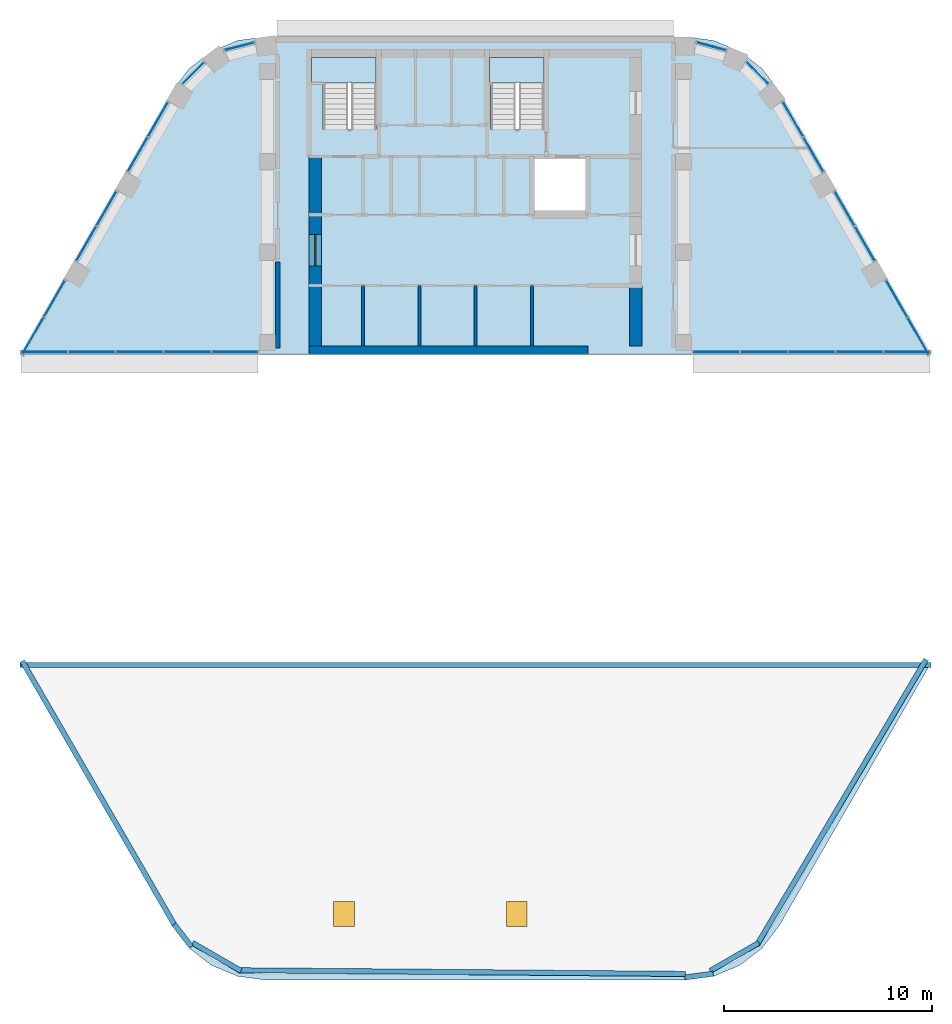
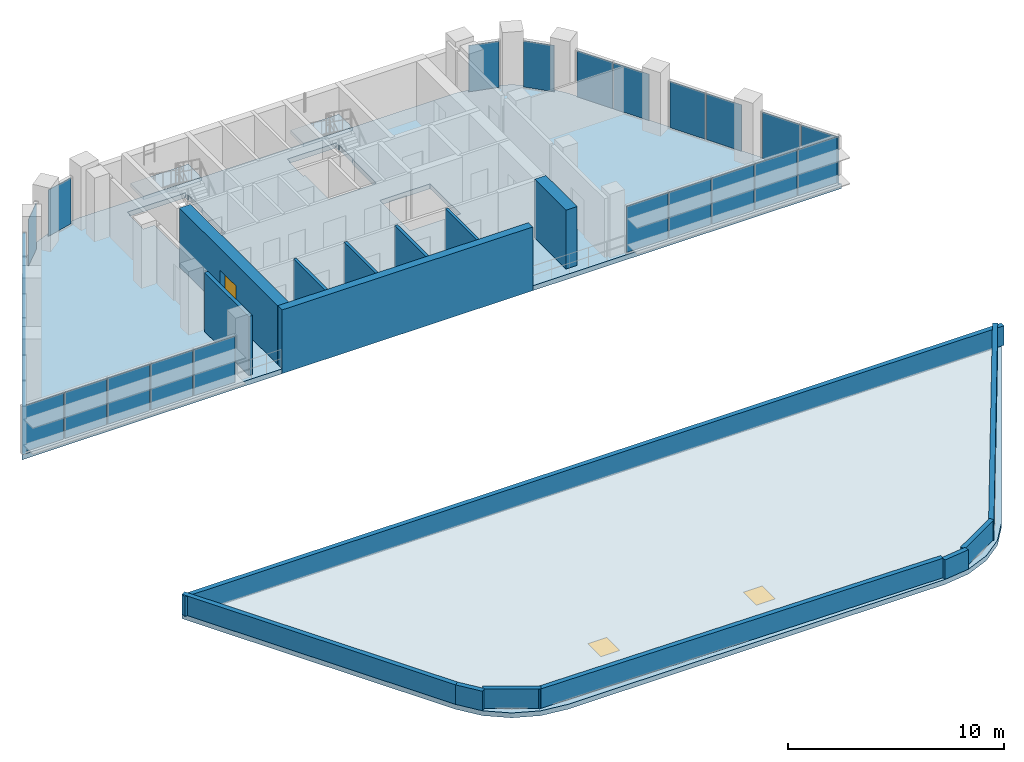
"""IFC4 building model written with IfcOpenShell, lengths in metres."""

from ifc_helpers import new_model, si_unit, direction, frame, frame_2d, origin, origin_2d, place, context, subcontext, project, spatial, polyline, rectangle, outline, extrude, material, layer, layer_set, type_object, element, fill, aggregate, save


model = new_model("IFC4")

# Units and contexts
model_context = context("Model", 3, precision=1e-05, world=origin(), true_north=direction((0.0, 1.0)))
body_context = subcontext(model_context, "Body", "Model", "MODEL_VIEW")
ifc_project = project(units=[si_unit("LENGTHUNIT", "METRE"), si_unit("AREAUNIT", "SQUARE_METRE"), si_unit("VOLUMEUNIT", "CUBIC_METRE"), si_unit("PLANEANGLEUNIT", "RADIAN"), si_unit("MASSUNIT", "GRAM", prefix="KILO")], contexts=[model_context])

# Site, building, storey
site_placement = place(None, origin())
site = spatial("IfcSite", under=ifc_project, at=site_placement, CompositionType="ELEMENT")
building_placement = place(site_placement, origin())
building = spatial("IfcBuilding", under=site, at=building_placement, Name="Nakaniwa Court", CompositionType="ELEMENT")
storey_1_placement = place(building_placement, frame((0.0, 0.0, 290.39990234375)))
storey_1 = spatial("IfcBuildingStorey", under=building, at=storey_1_placement, Name="C06", CompositionType="ELEMENT", Elevation=290.39990234375)

# Slab
ifc_material_1 = material(Name="Concrete C80/100", Category="concrete")
ifc_layer_1 = layer(ifc_material_1, 0.27490234375)
ifc_layer_set_1 = layer_set([ifc_layer_1], Name="Concrete C80/100")
slab_type_1 = type_object("IfcSlabType", Name="Concrete C80/100 post tensioned floor slab 275", PredefinedType="FLOOR", material=ifc_layer_set_1)
slab_1_placement = place(storey_1_placement, frame((0.0, 0.0, -0.27490234375)))
element("IfcSlab", 1, at=slab_1_placement, inside=storey_1, type_object=slab_type_1, Name="FLOOR SLAB", PredefinedType="FLOOR", context=body_context, shape_type="SweptSolid", body=[
    extrude(outline(polyline([(65.421875, 100.050048828125), (58.118408203125, 87.39990234375), (101.881591796875, 87.39990234375), (94.578125, 100.050048828125), (93.751708984375, 101.126953125), (92.6748046875, 101.953369140625), (91.420654296875, 102.472900390625), (90.07470703125, 102.64990234375), (69.92529296875, 102.64990234375), (68.579345703125, 102.472900390625), (67.3251953125, 101.953369140625), (66.248291015625, 101.126953125), (65.421875, 100.050048828125)]), holes=[polyline([(85.39990234375, 96.89990234375), (82.699951171875, 96.89990234375), (82.699951171875, 94.10009765625), (85.39990234375, 94.10009765625), (85.39990234375, 96.89990234375)]), polyline([(75.22509765625, 100.385009765625), (75.264892578125, 100.385009765625), (75.264892578125, 101.68994140625), (75.22509765625, 101.68994140625), (75.22509765625, 101.925048828125), (72.125, 101.925048828125), (72.125, 101.68994140625), (72.0849609375, 101.68994140625), (72.0849609375, 100.385009765625), (72.675048828125, 100.385009765625), (72.675048828125, 98.18994140625), (75.22509765625, 98.18994140625), (75.22509765625, 100.385009765625)]), polyline([(83.27490234375, 101.925048828125), (80.675048828125, 101.925048828125), (80.675048828125, 101.68994140625), (80.635009765625, 101.68994140625), (80.635009765625, 100.385009765625), (80.72509765625, 100.385009765625), (80.72509765625, 98.18994140625), (83.27490234375, 98.18994140625), (83.27490234375, 100.385009765625), (83.31494140625, 100.385009765625), (83.31494140625, 101.68994140625), (83.27490234375, 101.68994140625), (83.27490234375, 101.925048828125)])]), origin(), (0.0, 0.0, 1.0), 0.27490234375),
])

# Slab, openings
ifc_layer_2 = layer(ifc_material_1, 0.27490234375)
ifc_layer_set_2 = layer_set([ifc_layer_2], Name="Concrete C80/100")
slab_type_2 = type_object("IfcSlabType", Name="Concrete C80/100 roof slab 275", PredefinedType="ROOF", material=ifc_layer_set_2)
slab_2_placement = place(storey_1_placement, frame((0.0, 0.0, -0.27490234375)))
slab_2 = element("IfcSlab", 2, at=slab_2_placement, inside=storey_1, type_object=slab_type_2, Name="ROOF SLAB SOUTH BAR", PredefinedType="ROOF", context=body_context, shape_type="SweptSolid", body=[
    extrude(outline(polyline([(94.578125, 59.949951171875), (101.881591796875, 72.60009765625), (58.118408203125, 72.60009765625), (65.421875, 59.949951171875), (66.248291015625, 58.873046875), (67.3251953125, 58.046630859375), (68.579345703125, 57.527099609375), (69.92529296875, 57.35009765625), (90.07470703125, 57.35009765625), (91.420654296875, 57.527099609375), (92.6748046875, 58.046630859375), (93.751708984375, 58.873046875), (94.578125, 59.949951171875)])), origin(), (0.0, 0.0, 1.0), 0.27490234375),
])
opening_1_placement = place(slab_2_placement, frame((73.675048828125, 60.52490234375, 0.0)))
opening_1 = element("IfcOpeningElement", 3, at=opening_1_placement, cuts=slab_2, Name="Opening XD14.01", PredefinedType="OPENING", context=body_context, shape_type="SweptSolid", body=[
    extrude(rectangle(XDim=1.0, YDim=1.199951171875, at=origin_2d()), frame((0.0, 0.0, -0.010009765625)), (0.0, 0.0, 1.0), 0.294921875),
])
opening_2_placement = place(slab_2_placement, frame((81.97509765625, 60.52490234375, 0.0)))
opening_2 = element("IfcOpeningElement", 4, at=opening_2_placement, cuts=slab_2, Name="Opening XD14.02", PredefinedType="OPENING", context=body_context, shape_type="SweptSolid", body=[
    extrude(rectangle(XDim=1.0, YDim=1.199951171875, at=origin_2d()), frame((0.0, 0.0, -0.010009765625)), (0.0, 0.0, 1.0), 0.294921875),
])

# Storey
storey_2_placement = place(building_placement, frame((0.0, 0.0, 286.800048828125)))
storey_2 = spatial("IfcBuildingStorey", under=building, at=storey_2_placement, Name="C05", CompositionType="ELEMENT", Elevation=286.800048828125)

# Door
ifc_material_2 = material(Name="Black powder-coated aluminium frame with dark laminated glass", Category="aluminium")
door_type_1 = type_object("IfcDoorType", Name="Roof access hatch 1000x1200", OperationType="SINGLE_SWING_LEFT", PredefinedType="TRAPDOOR", material=ifc_material_2)
door_1_placement = place(opening_1_placement, frame((0.0, 0.0, 0.224853515625)))
door_1 = element("IfcDoor", 5, at=door_1_placement, inside=storey_2, type_object=door_type_1, Name="C05 roof access hatch W", OperationType="SINGLE_SWING_LEFT", OverallHeight=1.199951171875, OverallWidth=1.0, PredefinedType="TRAPDOOR", context=body_context, shape_type="SweptSolid", body=[
    extrude(rectangle(XDim=1.0, YDim=1.199951171875, at=origin_2d()), origin(), (0.0, 0.0, 1.0), 0.050048828125),
])

fill(opening_1, door_1)

door_2_placement = place(opening_2_placement, frame((0.0, 0.0, 0.224853515625)))
door_2 = element("IfcDoor", 6, at=door_2_placement, inside=storey_2, type_object=door_type_1, Name="C05 roof access hatch E", OperationType="SINGLE_SWING_LEFT", OverallHeight=1.199951171875, OverallWidth=1.0, PredefinedType="TRAPDOOR", context=body_context, shape_type="SweptSolid", body=[
    extrude(rectangle(XDim=1.0, YDim=1.199951171875, at=origin_2d()), origin(), (0.0, 0.0, 1.0), 0.050048828125),
])

fill(opening_2, door_2)

# Curtain wall, plates
ifc_material_3 = material(Name="Black anodised aluminium frame with dark low-E laminated double glazing", Category="aluminium")
ifc_layer_3 = layer(ifc_material_3, 0.199951171875)
ifc_layer_set_3 = layer_set([ifc_layer_3], Name="Black anodised aluminium frame with dark low-E laminated double glazing")
curtain_wall_type = type_object("IfcCurtainWallType", Name="Crown curtain wall", PredefinedType="NOTDEFINED", material=ifc_layer_set_3)
curtain_wall_1_placement = place(storey_1_placement, origin())
curtain_wall_1 = element("IfcCurtainWall", 7, at=curtain_wall_1_placement, inside=storey_1, type_object=curtain_wall_type, Name="C06 curtain wall CW4 00", PredefinedType="NOTDEFINED")
ifc_material_4 = material(Name="Dark toughened glass", Category="glass")
ifc_layer_4 = layer(ifc_material_4, 0.007, Name="Outer pane")
ifc_material_5 = material(Name="Argon filled cavity")
ifc_layer_5 = layer(ifc_material_5, 0.016, Name="Cavity")
ifc_material_6 = material(Name="Dark laminated safety glass", Category="glass")
ifc_layer_6 = layer(ifc_material_6, 0.007, Name="Inner pane")
ifc_layer_set_4 = layer_set([ifc_layer_4, ifc_layer_5, ifc_layer_6], Name="Dark low-E laminated double glazing")
plate_type = type_object("IfcPlateType", Name="Crown curtain wall glass panel", PredefinedType="CURTAIN_PANEL", material=ifc_layer_set_4)
plate_1_placement = place(storey_1_placement, frame((62.276611328125, 94.402099609375, 0.05517578125), z_axis=(0.0, 0.0, 1.0), x_axis=(-0.499986540445, -0.866033174523, 0.0)))
plate_1 = element("IfcPlate", 8, at=plate_1_placement, type_object=plate_type, Name="CW4 panel 1.1", PredefinedType="CURTAIN_PANEL", context=body_context, shape_type="SweptSolid", body=[
    extrude(rectangle(XDim=1.874755859375, YDim=0.030029296875, at=origin_2d()), origin(), (0.0, 0.0, 1.0), 2.614990234375),
])
plate_2_placement = place(storey_1_placement, frame((61.306640625, 92.72216796875, 0.05517578125), z_axis=(0.0, 0.0, 1.0), x_axis=(-0.499986540445, -0.866033174523, 0.0)))
plate_2 = element("IfcPlate", 9, at=plate_2_placement, type_object=plate_type, Name="CW4 panel 2.1", PredefinedType="CURTAIN_PANEL", context=body_context, shape_type="SweptSolid", body=[
    extrude(rectangle(XDim=1.874755859375, YDim=0.030029296875, at=origin_2d()), origin(), (0.0, 0.0, 1.0), 2.614990234375),
])
aggregate(curtain_wall_1, [plate_1, plate_2])

curtain_wall_2_placement = place(storey_1_placement, origin())
curtain_wall_2 = element("IfcCurtainWall", 10, at=curtain_wall_2_placement, inside=storey_1, type_object=curtain_wall_type, Name="C06 curtain wall CW4 01", PredefinedType="NOTDEFINED")
plate_3_placement = place(storey_1_placement, frame((59.775390625, 90.06982421875, 0.05517578125), z_axis=(0.0, 0.0, 1.0), x_axis=(-0.500007626024, -0.866021000852, 0.0)))
plate_3 = element("IfcPlate", 11, at=plate_3_placement, type_object=plate_type, Name="CW4 panel 1.1", PredefinedType="CURTAIN_PANEL", context=body_context, shape_type="SweptSolid", body=[
    extrude(rectangle(XDim=2.007080078125, YDim=0.030029296875, at=origin_2d()), origin(), (0.0, 0.0, 1.0), 2.614990234375),
])
plate_4_placement = place(storey_1_placement, frame((58.7392578125, 88.275390625, 0.05517578125), z_axis=(0.0, 0.0, 1.0), x_axis=(-0.500007626024, -0.866021000852, 0.0)))
plate_4 = element("IfcPlate", 12, at=plate_4_placement, type_object=plate_type, Name="CW4 panel 2.1", PredefinedType="CURTAIN_PANEL", context=body_context, shape_type="SweptSolid", body=[
    extrude(rectangle(XDim=2.007080078125, YDim=0.030029296875, at=origin_2d()), origin(), (0.0, 0.0, 1.0), 2.614990234375),
])
aggregate(curtain_wall_2, [plate_3, plate_4])

curtain_wall_3_placement = place(storey_1_placement, origin())
curtain_wall_3 = element("IfcCurtainWall", 13, at=curtain_wall_3_placement, inside=storey_1, type_object=curtain_wall_type, Name="C06 curtain wall CW4 02", PredefinedType="NOTDEFINED")
plate_5_placement = place(storey_1_placement, frame((59.283203125, 87.5, 0.05517578125), z_axis=(0.0, 0.0, 1.0), x_axis=(1.0, 0.0, 0.0)))
plate_5 = element("IfcPlate", 14, at=plate_5_placement, type_object=plate_type, Name="CW4 panel 1.1", PredefinedType="CURTAIN_PANEL", context=body_context, shape_type="SweptSolid", body=[
    extrude(rectangle(XDim=2.19970703125, YDim=0.030029296875, at=origin_2d()), origin(), (0.0, 0.0, 1.0), 2.614990234375),
])
plate_6_placement = place(storey_1_placement, frame((61.56396484375, 87.5, 0.05517578125), z_axis=(0.0, 0.0, 1.0), x_axis=(1.0, 0.0, 0.0)))
plate_6 = element("IfcPlate", 15, at=plate_6_placement, type_object=plate_type, Name="CW4 panel 2.1", PredefinedType="CURTAIN_PANEL", context=body_context, shape_type="SweptSolid", body=[
    extrude(rectangle(XDim=2.232177734375, YDim=0.030029296875, at=origin_2d()), origin(), (0.0, 0.0, 1.0), 2.614990234375),
])
plate_7_placement = place(storey_1_placement, frame((63.861083984375, 87.5, 0.05517578125), z_axis=(0.0, 0.0, 1.0), x_axis=(1.0, 0.0, 0.0)))
plate_7 = element("IfcPlate", 16, at=plate_7_placement, type_object=plate_type, Name="CW4 panel 3.1", PredefinedType="CURTAIN_PANEL", context=body_context, shape_type="SweptSolid", body=[
    extrude(rectangle(XDim=2.232177734375, YDim=0.030029296875, at=origin_2d()), origin(), (0.0, 0.0, 1.0), 2.614990234375),
])
plate_8_placement = place(storey_1_placement, frame((66.158203125, 87.5, 0.05517578125), z_axis=(0.0, 0.0, 1.0), x_axis=(1.0, 0.0, 0.0)))
plate_8 = element("IfcPlate", 17, at=plate_8_placement, type_object=plate_type, Name="CW4 panel 4.1", PredefinedType="CURTAIN_PANEL", context=body_context, shape_type="SweptSolid", body=[
    extrude(rectangle(XDim=2.232177734375, YDim=0.030029296875, at=origin_2d()), origin(), (0.0, 0.0, 1.0), 2.614990234375),
])
plate_9_placement = place(storey_1_placement, frame((68.439208984375, 87.5, 0.05517578125), z_axis=(0.0, 0.0, 1.0), x_axis=(1.0, 0.0, 0.0)))
plate_9 = element("IfcPlate", 18, at=plate_9_placement, type_object=plate_type, Name="CW4 panel 5.1", PredefinedType="CURTAIN_PANEL", context=body_context, shape_type="SweptSolid", body=[
    extrude(rectangle(XDim=2.19970703125, YDim=0.030029296875, at=origin_2d()), origin(), (0.0, 0.0, 1.0), 2.614990234375),
])
aggregate(curtain_wall_3, [plate_5, plate_6, plate_7, plate_8, plate_9])

curtain_wall_4_placement = place(storey_1_placement, origin())
curtain_wall_4 = element("IfcCurtainWall", 19, at=curtain_wall_4_placement, inside=storey_1, type_object=curtain_wall_type, Name="C06 curtain wall CW4 03", PredefinedType="NOTDEFINED")
plate_10_placement = place(storey_1_placement, frame((91.560791015625, 87.5, 0.05517578125), z_axis=(0.0, 0.0, 1.0), x_axis=(1.0, 0.0, 0.0)))
plate_10 = element("IfcPlate", 20, at=plate_10_placement, type_object=plate_type, Name="CW4 panel 1.1", PredefinedType="CURTAIN_PANEL", context=body_context, shape_type="SweptSolid", body=[
    extrude(rectangle(XDim=2.19970703125, YDim=0.030029296875, at=origin_2d()), origin(), (0.0, 0.0, 1.0), 2.614990234375),
])
plate_11_placement = place(storey_1_placement, frame((93.841796875, 87.5, 0.05517578125), z_axis=(0.0, 0.0, 1.0), x_axis=(1.0, 0.0, 0.0)))
plate_11 = element("IfcPlate", 21, at=plate_11_placement, type_object=plate_type, Name="CW4 panel 2.1", PredefinedType="CURTAIN_PANEL", context=body_context, shape_type="SweptSolid", body=[
    extrude(rectangle(XDim=2.232177734375, YDim=0.030029296875, at=origin_2d()), origin(), (0.0, 0.0, 1.0), 2.614990234375),
])
plate_12_placement = place(storey_1_placement, frame((96.138916015625, 87.5, 0.05517578125), z_axis=(0.0, 0.0, 1.0), x_axis=(1.0, 0.0, 0.0)))
plate_12 = element("IfcPlate", 22, at=plate_12_placement, type_object=plate_type, Name="CW4 panel 3.1", PredefinedType="CURTAIN_PANEL", context=body_context, shape_type="SweptSolid", body=[
    extrude(rectangle(XDim=2.232177734375, YDim=0.030029296875, at=origin_2d()), origin(), (0.0, 0.0, 1.0), 2.614990234375),
])
plate_13_placement = place(storey_1_placement, frame((98.43603515625, 87.5, 0.05517578125), z_axis=(0.0, 0.0, 1.0), x_axis=(1.0, 0.0, 0.0)))
plate_13 = element("IfcPlate", 23, at=plate_13_placement, type_object=plate_type, Name="CW4 panel 4.1", PredefinedType="CURTAIN_PANEL", context=body_context, shape_type="SweptSolid", body=[
    extrude(rectangle(XDim=2.232177734375, YDim=0.030029296875, at=origin_2d()), origin(), (0.0, 0.0, 1.0), 2.614990234375),
])
plate_14_placement = place(storey_1_placement, frame((100.716796875, 87.5, 0.05517578125), z_axis=(0.0, 0.0, 1.0), x_axis=(1.0, 0.0, 0.0)))
plate_14 = element("IfcPlate", 24, at=plate_14_placement, type_object=plate_type, Name="CW4 panel 5.1", PredefinedType="CURTAIN_PANEL", context=body_context, shape_type="SweptSolid", body=[
    extrude(rectangle(XDim=2.19970703125, YDim=0.030029296875, at=origin_2d()), origin(), (0.0, 0.0, 1.0), 2.614990234375),
])
aggregate(curtain_wall_4, [plate_10, plate_11, plate_12, plate_13, plate_14])

curtain_wall_5_placement = place(storey_1_placement, origin())
curtain_wall_5 = element("IfcCurtainWall", 25, at=curtain_wall_5_placement, inside=storey_1, type_object=curtain_wall_type, Name="C06 curtain wall CW4 04", PredefinedType="NOTDEFINED")
plate_15_placement = place(storey_1_placement, frame((101.2607421875, 88.275390625, 0.05517578125), z_axis=(0.0, 0.0, 1.0), x_axis=(-0.500007626024, 0.866021000852, 0.0)))
plate_15 = element("IfcPlate", 26, at=plate_15_placement, type_object=plate_type, Name="CW4 panel 1.1", PredefinedType="CURTAIN_PANEL", context=body_context, shape_type="SweptSolid", body=[
    extrude(rectangle(XDim=2.007080078125, YDim=0.030029296875, at=origin_2d()), origin(), (0.0, 0.0, 1.0), 2.614990234375),
])
plate_16_placement = place(storey_1_placement, frame((100.224609375, 90.06982421875, 0.05517578125), z_axis=(0.0, 0.0, 1.0), x_axis=(-0.500007626024, 0.866021000852, 0.0)))
plate_16 = element("IfcPlate", 27, at=plate_16_placement, type_object=plate_type, Name="CW4 panel 2.1", PredefinedType="CURTAIN_PANEL", context=body_context, shape_type="SweptSolid", body=[
    extrude(rectangle(XDim=2.007080078125, YDim=0.030029296875, at=origin_2d()), origin(), (0.0, 0.0, 1.0), 2.614990234375),
])
aggregate(curtain_wall_5, [plate_15, plate_16])

curtain_wall_6_placement = place(storey_1_placement, origin())
curtain_wall_6 = element("IfcCurtainWall", 28, at=curtain_wall_6_placement, inside=storey_1, type_object=curtain_wall_type, Name="C06 curtain wall CW4 05", PredefinedType="NOTDEFINED")
plate_17_placement = place(storey_1_placement, frame((98.693359375, 92.72216796875, 0.05517578125), z_axis=(0.0, 0.0, 1.0), x_axis=(-0.499986540445, 0.866033174523, 0.0)))
plate_17 = element("IfcPlate", 29, at=plate_17_placement, type_object=plate_type, Name="CW4 panel 1.1", PredefinedType="CURTAIN_PANEL", context=body_context, shape_type="SweptSolid", body=[
    extrude(rectangle(XDim=1.874755859375, YDim=0.030029296875, at=origin_2d()), origin(), (0.0, 0.0, 1.0), 2.614990234375),
])
plate_18_placement = place(storey_1_placement, frame((97.723388671875, 94.402099609375, 0.05517578125), z_axis=(0.0, 0.0, 1.0), x_axis=(-0.499986540445, 0.866033174523, 0.0)))
plate_18 = element("IfcPlate", 30, at=plate_18_placement, type_object=plate_type, Name="CW4 panel 2.1", PredefinedType="CURTAIN_PANEL", context=body_context, shape_type="SweptSolid", body=[
    extrude(rectangle(XDim=1.874755859375, YDim=0.030029296875, at=origin_2d()), origin(), (0.0, 0.0, 1.0), 2.614990234375),
])
aggregate(curtain_wall_6, [plate_17, plate_18])

curtain_wall_7_placement = place(storey_1_placement, origin())
curtain_wall_7 = element("IfcCurtainWall", 31, at=curtain_wall_7_placement, inside=storey_1, type_object=curtain_wall_type, Name="C06 curtain wall CW4 06", PredefinedType="NOTDEFINED")
plate_19_placement = place(storey_1_placement, frame((96.220703125, 97.004638671875, 0.05517578125), z_axis=(0.0, 0.0, 1.0), x_axis=(-0.499995809815, 0.866027822975, 0.0)))
plate_19 = element("IfcPlate", 32, at=plate_19_placement, type_object=plate_type, Name="CW4 panel 1.1", PredefinedType="CURTAIN_PANEL", context=body_context, shape_type="SweptSolid", body=[
    extrude(rectangle(XDim=1.892333984375, YDim=0.030029296875, at=origin_2d()), origin(), (0.0, 0.0, 1.0), 2.614990234375),
])
plate_20_placement = place(storey_1_placement, frame((95.2421875, 98.69970703125, 0.05517578125), z_axis=(0.0, 0.0, 1.0), x_axis=(-0.499995809815, 0.866027822975, 0.0)))
plate_20 = element("IfcPlate", 33, at=plate_20_placement, type_object=plate_type, Name="CW4 panel 2.1", PredefinedType="CURTAIN_PANEL", context=body_context, shape_type="SweptSolid", body=[
    extrude(rectangle(XDim=1.892333984375, YDim=0.030029296875, at=origin_2d()), origin(), (0.0, 0.0, 1.0), 2.614990234375),
])
aggregate(curtain_wall_7, [plate_19, plate_20])

# Curtain wall, plate
curtain_wall_8_placement = place(storey_1_placement, origin())
curtain_wall_8 = element("IfcCurtainWall", 34, at=curtain_wall_8_placement, inside=storey_1, type_object=curtain_wall_type, Name="C06 curtain wall CW4 07", PredefinedType="NOTDEFINED")
plate_21_placement = place(storey_1_placement, frame((93.536865234375, 100.9208984375, 0.05517578125), z_axis=(0.0, 0.0, 1.0), x_axis=(-0.699240623143, 0.714886390238, 0.0)))
plate_21 = element("IfcPlate", 35, at=plate_21_placement, type_object=plate_type, Name="CW4 panel 1.1", PredefinedType="CURTAIN_PANEL", context=body_context, shape_type="SweptSolid", body=[
    extrude(rectangle(XDim=1.4677734375, YDim=0.030029296875, at=origin_2d()), origin(), (0.0, 0.0, 1.0), 2.614990234375),
])
aggregate(curtain_wall_8, [plate_21])

curtain_wall_9_placement = place(storey_1_placement, origin())
curtain_wall_9 = element("IfcCurtainWall", 36, at=curtain_wall_9_placement, inside=storey_1, type_object=curtain_wall_type, Name="C06 curtain wall CW4 08", PredefinedType="NOTDEFINED")
plate_22_placement = place(storey_1_placement, frame((91.31591796875, 102.18505859375, 0.05517578125), z_axis=(0.0, 0.0, 1.0), x_axis=(-0.965375472235, 0.26086432797, 0.0)))
plate_22 = element("IfcPlate", 37, at=plate_22_placement, type_object=plate_type, Name="CW4 panel 1.1", PredefinedType="CURTAIN_PANEL", context=body_context, shape_type="SweptSolid", body=[
    extrude(rectangle(XDim=1.44775390625, YDim=0.030029296875, at=origin_2d()), origin(), (0.0, 0.0, 1.0), 2.614990234375),
])
aggregate(curtain_wall_9, [plate_22])

curtain_wall_10_placement = place(storey_1_placement, origin())
curtain_wall_10 = element("IfcCurtainWall", 38, at=curtain_wall_10_placement, inside=storey_1, type_object=curtain_wall_type, Name="C06 curtain wall CW4 10", PredefinedType="NOTDEFINED")
plate_23_placement = place(storey_1_placement, frame((68.650390625, 102.18359375, 0.05517578125), z_axis=(0.0, 0.0, 1.0), x_axis=(-0.968746424222, -0.248053150669, 0.0)))
plate_23 = element("IfcPlate", 39, at=plate_23_placement, type_object=plate_type, Name="CW4 panel 1.1", PredefinedType="CURTAIN_PANEL", context=body_context, shape_type="SweptSolid", body=[
    extrude(rectangle(XDim=1.468017578125, YDim=0.030029296875, at=origin_2d()), origin(), (0.0, 0.0, 1.0), 2.614990234375),
])
aggregate(curtain_wall_10, [plate_23])

curtain_wall_11_placement = place(storey_1_placement, origin())
curtain_wall_11 = element("IfcCurtainWall", 40, at=curtain_wall_11_placement, inside=storey_1, type_object=curtain_wall_type, Name="C06 curtain wall CW4 11", PredefinedType="NOTDEFINED")
plate_24_placement = place(storey_1_placement, frame((66.445068359375, 100.892333984375, 0.05517578125), z_axis=(0.0, 0.0, 1.0), x_axis=(-0.708563227169, -0.705647329126, 0.0)))
plate_24 = element("IfcPlate", 41, at=plate_24_placement, type_object=plate_type, Name="CW4 panel 1.1", PredefinedType="CURTAIN_PANEL", context=body_context, shape_type="SweptSolid", body=[
    extrude(rectangle(XDim=1.447509765625, YDim=0.030029296875, at=origin_2d()), origin(), (0.0, 0.0, 1.0), 2.614990234375),
])
aggregate(curtain_wall_11, [plate_24])

# Curtain wall, plates
curtain_wall_12_placement = place(storey_1_placement, origin())
curtain_wall_12 = element("IfcCurtainWall", 42, at=curtain_wall_12_placement, inside=storey_1, type_object=curtain_wall_type, Name="C06 curtain wall CW4 12", PredefinedType="NOTDEFINED")
plate_25_placement = place(storey_1_placement, frame((64.74462890625, 98.677001953125, 0.05517578125), z_axis=(0.0, 0.0, 1.0), x_axis=(-0.499986540445, -0.866033174523, 0.0)))
plate_25 = element("IfcPlate", 43, at=plate_25_placement, type_object=plate_type, Name="CW4 panel 1.1", PredefinedType="CURTAIN_PANEL", context=body_context, shape_type="SweptSolid", body=[
    extrude(rectangle(XDim=1.874755859375, YDim=0.030029296875, at=origin_2d()), origin(), (0.0, 0.0, 1.0), 2.614990234375),
])
plate_26_placement = place(storey_1_placement, frame((63.77490234375, 96.9970703125, 0.05517578125), z_axis=(0.0, 0.0, 1.0), x_axis=(-0.499986540445, -0.866033174523, 0.0)))
plate_26 = element("IfcPlate", 44, at=plate_26_placement, type_object=plate_type, Name="CW4 panel 2.1", PredefinedType="CURTAIN_PANEL", context=body_context, shape_type="SweptSolid", body=[
    extrude(rectangle(XDim=1.874755859375, YDim=0.030029296875, at=origin_2d()), origin(), (0.0, 0.0, 1.0), 2.614990234375),
])
aggregate(curtain_wall_12, [plate_25, plate_26])

# Stair, slab
stair_type = type_object("IfcStairType", Name="Dog leg stair 1200 wide 20 risers", PredefinedType="HALF_TURN_STAIR", material=ifc_material_1)
stair_1_placement = place(storey_1_placement, origin())
stair_1 = element("IfcStair", 45, at=stair_1_placement, inside=storey_1, type_object=stair_type, Name="C06 Stair ST1", PredefinedType="HALF_TURN_STAIR")
ifc_layer_7 = layer(ifc_material_1, 0.199951171875)
ifc_layer_set_5 = layer_set([ifc_layer_7], Name="Concrete C80/100")
slab_type_3 = type_object("IfcSlabType", Name="Stair landing concrete", PredefinedType="LANDING", material=ifc_layer_set_5)
slab_3_placement = place(storey_1_placement, frame((0.0, 0.0, 1.60009765625)))
slab_3 = element("IfcSlab", 46, at=slab_3_placement, type_object=slab_type_3, Name="ST1 landing 1", PredefinedType="LANDING", context=body_context, shape_type="SweptSolid", body=[
    extrude(outline(polyline([(75.22509765625, 100.425048828125), (75.22509765625, 101.64990234375), (72.125, 101.64990234375), (72.125, 100.425048828125), (75.22509765625, 100.425048828125)])), origin(), (0.0, 0.0, 1.0), 0.199951171875),
])
aggregate(stair_1, [slab_3])

stair_2_placement = place(storey_1_placement, origin())
stair_2 = element("IfcStair", 47, at=stair_2_placement, inside=storey_1, type_object=stair_type, Name="C06 Stair ST2", PredefinedType="HALF_TURN_STAIR")
slab_4_placement = place(storey_1_placement, frame((0.0, 0.0, 1.60009765625)))
slab_4 = element("IfcSlab", 48, at=slab_4_placement, type_object=slab_type_3, Name="ST2 landing 1", PredefinedType="LANDING", context=body_context, shape_type="SweptSolid", body=[
    extrude(outline(polyline([(83.27490234375, 100.425048828125), (83.27490234375, 101.64990234375), (80.675048828125, 101.64990234375), (80.675048828125, 100.425048828125), (83.27490234375, 100.425048828125)])), origin(), (0.0, 0.0, 1.0), 0.199951171875),
])
aggregate(stair_2, [slab_4])

# Walls
ifc_material_7 = material(Name="Acoustic double stud partition")
ifc_layer_8 = layer(ifc_material_7, 0.199951171875)
ifc_layer_set_6 = layer_set([ifc_layer_8], Name="Acoustic double stud partition")
wall_type_1 = type_object("IfcWallType", Name="Acoustic double stud partition 200", PredefinedType="PARTITIONING", material=ifc_layer_set_6)
wall_1_placement = place(storey_1_placement, frame((70.5, 87.699951171875, 0.0), z_axis=(0.0, 0.0, 1.0), x_axis=(0.0, 1.0, 0.0)))
element("IfcWall", 49, at=wall_1_placement, inside=storey_1, type_object=wall_type_1, Name="Partition PW-036", PredefinedType="PARTITIONING", context=body_context, shape_type="SweptSolid", body=[
    extrude(rectangle(XDim=4.123046875, YDim=0.199951171875, at=frame_2d((2.0615234375, 0.0))), origin(), (0.0, 0.0, 1.0), 3.3251953125),
])
ifc_material_8 = material(Name="Charcoal ceramic cladding")
ifc_layer_9 = layer(ifc_material_8, 0.02, Name="Ceramic cladding")
ifc_material_9 = material(Name="Mineral wool insulation")
ifc_layer_10 = layer(ifc_material_9, 0.03, Name="Insulation")
ifc_material_10 = material(Name="Precast concrete C40/50", Category="concrete")
ifc_layer_11 = layer(ifc_material_10, 0.2, Name="Parapet upstand")
ifc_layer_set_7 = layer_set([ifc_layer_9, ifc_layer_10, ifc_layer_11], Name="Charcoal ceramic cladding on precast concrete C40/50 upstand")
wall_type_2 = type_object("IfcWallType", Name="Black ceramic parapet 250", PredefinedType="PARAPET", material=ifc_layer_set_7)
wall_2_placement = place(storey_1_placement, frame((93.504638671875, 59.019287109375, 0.0), z_axis=(0.0, 0.0, 1.0), x_axis=(0.509585927736, 0.860419770957, 0.0)))
element("IfcWall", 50, at=wall_2_placement, inside=storey_1, type_object=wall_type_2, Name="C05 roof parapet, south bar 1", PredefinedType="PARAPET", context=body_context, shape_type="SweptSolid", body=[
    extrude(rectangle(XDim=15.953857421875, YDim=0.25, at=frame_2d((7.97705078125, 0.0))), origin(), (0.0, 0.0, 1.0), 1.10009765625),
])
wall_3_placement = place(storey_1_placement, frame((101.881591796875, 72.47509765625, 0.0), z_axis=(0.0, 0.0, 1.0), x_axis=(-1.0, 0.0, 0.0)))
element("IfcWall", 51, at=wall_3_placement, inside=storey_1, type_object=wall_type_2, Name="C05 roof parapet, south bar 2", PredefinedType="PARAPET", context=body_context, shape_type="SweptSolid", body=[
    extrude(rectangle(XDim=43.76318359375, YDim=0.25, at=frame_2d((21.881591796875, 0.0))), origin(), (0.0, 0.0, 1.0), 1.10009765625),
])
wall_4_placement = place(storey_1_placement, frame((58.226806640625, 72.66259765625, 0.0), z_axis=(0.0, 0.0, 1.0), x_axis=(0.499994933211, -0.866028329077, 0.0)))
element("IfcWall", 52, at=wall_4_placement, inside=storey_1, type_object=wall_type_2, Name="C05 roof parapet, south bar 3", PredefinedType="PARAPET", context=body_context, shape_type="SweptSolid", body=[
    extrude(rectangle(XDim=14.607177734375, YDim=0.25, at=frame_2d((7.3037109375, 0.0))), origin(), (0.0, 0.0, 1.0), 1.10009765625),
])
wall_5_placement = place(storey_1_placement, frame((65.52099609375, 60.026123046875, 0.0), z_axis=(0.0, 0.0, 1.0), x_axis=(0.608797726736, -0.793325486746, 0.0)))
element("IfcWall", 53, at=wall_5_placement, inside=storey_1, type_object=wall_type_2, Name="C05 roof parapet, south bar 4", PredefinedType="PARAPET", context=body_context, shape_type="SweptSolid", body=[
    extrude(rectangle(XDim=1.357421875, YDim=0.25, at=frame_2d((0.6787109375, 0.0))), origin(), (0.0, 0.0, 1.0), 1.10009765625),
])
wall_6_placement = place(storey_1_placement, frame((66.3994140625, 59.134765625, 0.0), z_axis=(0.0, 0.0, 1.0), x_axis=(0.866007351526, -0.500031266125, 0.0)))
element("IfcWall", 54, at=wall_6_placement, inside=storey_1, type_object=wall_type_2, Name="C05 roof parapet, south bar 5", PredefinedType="PARAPET", context=body_context, shape_type="SweptSolid", body=[
    extrude(rectangle(XDim=2.691650390625, YDim=0.25, at=frame_2d((1.345703125, 0.0))), origin(), (0.0, 0.0, 1.0), 1.10009765625),
])
wall_7_placement = place(storey_1_placement, frame((68.581787109375, 57.818359375, 0.0), z_axis=(0.0, 0.0, 1.0), x_axis=(0.999966005262, -0.008245503093, 0.0)))
element("IfcWall", 55, at=wall_7_placement, inside=storey_1, type_object=wall_type_2, Name="C05 roof parapet, south bar 6", PredefinedType="PARAPET", context=body_context, shape_type="SweptSolid", body=[
    extrude(rectangle(XDim=21.49609375, YDim=0.25, at=frame_2d((10.748046875, 0.0))), origin(), (0.0, 0.0, 1.0), 1.10009765625),
])
wall_8_placement = place(storey_1_placement, frame((90.05859375, 57.473876953125, 0.0), z_axis=(0.0, 0.0, 1.0), x_axis=(0.991437144954, 0.130584790863, 0.0)))
element("IfcWall", 56, at=wall_8_placement, inside=storey_1, type_object=wall_type_2, Name="C05 roof parapet, south bar 7", PredefinedType="PARAPET", context=body_context, shape_type="SweptSolid", body=[
    extrude(rectangle(XDim=1.357421875, YDim=0.25, at=frame_2d((0.6787109375, 0.0))), origin(), (0.0, 0.0, 1.0), 1.10009765625),
])
wall_9_placement = place(storey_1_placement, frame((91.26953125, 57.788818359375, 0.0), z_axis=(0.0, 0.0, 1.0), x_axis=(0.866007351526, 0.500031266125, 0.0)))
element("IfcWall", 57, at=wall_9_placement, inside=storey_1, type_object=wall_type_2, Name="C05 roof parapet, south bar 8", PredefinedType="PARAPET", context=body_context, shape_type="SweptSolid", body=[
    extrude(rectangle(XDim=2.691650390625, YDim=0.25, at=frame_2d((1.345703125, 0.0))), origin(), (0.0, 0.0, 1.0), 1.10009765625),
])
ifc_material_11 = material(Name="Blockwork partition", Category="masonry")
ifc_layer_12 = layer(ifc_material_11, 0.14990234375)
ifc_layer_set_8 = layer_set([ifc_layer_12], Name="Blockwork partition")
wall_type_3 = type_object("IfcWallType", Name="Blockwork partition 150", PredefinedType="PARTITIONING", material=ifc_layer_set_8)
for number, where, z_axis, x_axis, name in (
    (58, (74.60009765625, 87.800048828125, 0.0), (0.0, 0.0, 1.0), (0.0, 1.0, 0.0), "Partition PW-001"),
    (59, (77.300048828125, 87.800048828125, 0.0), (0.0, 0.0, 1.0), (0.0, 1.0, 0.0), "Partition PW-005"),
    (60, (80.0, 87.800048828125, 0.0), (0.0, 0.0, 1.0), (0.0, 1.0, 0.0), "Partition PW-007"),
    (61, (82.699951171875, 87.800048828125, 0.0), (0.0, 0.0, 1.0), (0.0, 1.0, 0.0), "Partition PW-009"),
):
    element("IfcWall", number, at=place(storey_1_placement, frame(where, z_axis=z_axis, x_axis=x_axis)), inside=storey_1, type_object=wall_type_3, Name=name, PredefinedType="PARTITIONING", context=body_context, shape_type="SweptSolid", body=[
        extrude(rectangle(XDim=2.89990234375, YDim=0.14990234375, at=frame_2d((1.449951171875, 0.0))), origin(), (0.0, 0.0, 1.0), 3.3251953125),
    ])

# Wall, opening, door
ifc_layer_13 = layer(ifc_material_1, 0.60009765625)
ifc_layer_set_9 = layer_set([ifc_layer_13], Name="Concrete C80/100")
wall_type_4 = type_object("IfcWallType", Name="Concrete core side wall 600 C80", PredefinedType="SHEAR", material=ifc_layer_set_9)
wall_10_placement = place(storey_1_placement, frame((72.300048828125, 87.800048828125, -0.27490234375), z_axis=(0.0, 0.0, 1.0), x_axis=(0.0, 1.0, 0.0)))
wall_10 = element("IfcWall", 62, at=wall_10_placement, inside=storey_1, type_object=wall_type_4, Name="Core wall SW-04", PredefinedType="SHEAR", context=body_context, shape_type="SweptSolid", body=[
    extrude(rectangle(XDim=9.099853515625, YDim=0.60009765625, at=frame_2d((4.5498046875, 0.0))), origin(), (0.0, 0.0, 1.0), 3.60009765625),
])
opening_3_placement = place(wall_10_placement, frame((3.85009765625, 0.0, 0.27490234375)))
opening_3 = element("IfcOpeningElement", 63, at=opening_3_placement, cuts=wall_10, Name="Opening D-07-02", PredefinedType="OPENING", context=body_context, shape_type="SweptSolid", body=[
    extrude(rectangle(XDim=1.5, YDim=2.10009765625, at=frame_2d((0.75, 1.050048828125))), frame((0.0, 0.31005859375, 0.0), z_axis=(0.0, -1.0, 0.0), x_axis=(1.0, 0.0, 0.0)), (0.0, 0.0, 1.0), 0.6201171875),
])
ifc_material_12 = material(Name="Glazed fire rated steel double door set", Category="steel")
door_type_2 = type_object("IfcDoorType", Name="Lobby double door 1500", OperationType="NOTDEFINED", PredefinedType="DOOR", material=ifc_material_12)
door_3_placement = place(opening_3_placement, origin())
door_3 = element("IfcDoor", 64, at=door_3_placement, inside=storey_1, type_object=door_type_2, Name="Door D-07-02 C06-023", OperationType="DOUBLE_DOOR_SINGLE_SWING", OverallHeight=2.10009765625, OverallWidth=1.5, PredefinedType="DOOR", context=body_context, shape_type="SweptSolid", body=[
    extrude(rectangle(XDim=1.5, YDim=2.10009765625, at=frame_2d((0.75, 1.050048828125))), frame((0.0, 0.02490234375, 0.0), z_axis=(0.0, -1.0, 0.0), x_axis=(1.0, 0.0, 0.0)), (0.0, 0.0, 1.0), 0.050048828125),
])
fill(opening_3, door_3)

# Walls
wall_11_placement = place(storey_1_placement, frame((87.699951171875, 87.800048828125, -0.27490234375), z_axis=(0.0, 0.0, 1.0), x_axis=(0.0, 1.0, 0.0)))
element("IfcWall", 65, at=wall_11_placement, inside=storey_1, type_object=wall_type_4, Name="Core wall SW-41", PredefinedType="SHEAR", context=body_context, shape_type="SweptSolid", body=[
    extrude(rectangle(XDim=2.89599609375, YDim=0.60009765625, at=frame_2d((1.447998046875, 0.0))), origin(), (0.0, 0.0, 1.0), 3.60009765625),
])
ifc_layer_14 = layer(ifc_material_1, 0.39990234375)
ifc_layer_set_10 = layer_set([ifc_layer_14], Name="Concrete C80/100")
wall_type_5 = type_object("IfcWallType", Name="Concrete core well wall 400 C80", PredefinedType="SHEAR", material=ifc_layer_set_10)
wall_12_placement = place(storey_1_placement, frame((72.00390625, 87.60009765625, -0.27490234375), z_axis=(0.0, 0.0, 1.0), x_axis=(1.0, 0.0, 0.0)))
element("IfcWall", 66, at=wall_12_placement, inside=storey_1, type_object=wall_type_5, Name="Core wall SW-40", PredefinedType="SHEAR", context=body_context, shape_type="SweptSolid", body=[
    extrude(rectangle(XDim=13.39599609375, YDim=0.39990234375, at=frame_2d((6.697998046875, 0.0))), origin(), (0.0, 0.0, 1.0), 3.60009765625),
])

save(model, "model.ifc")
